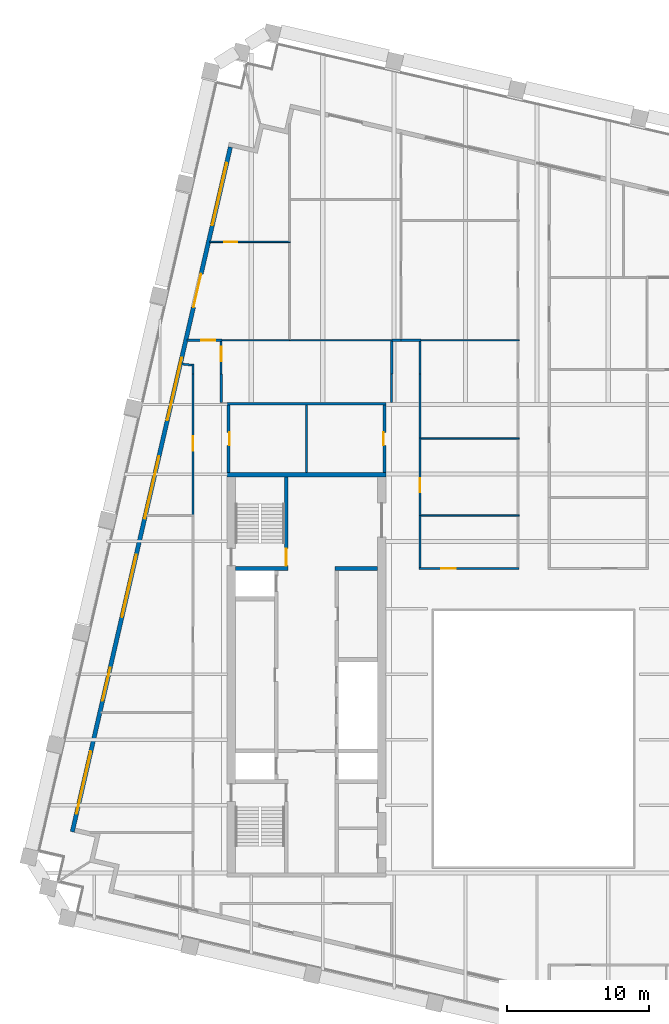
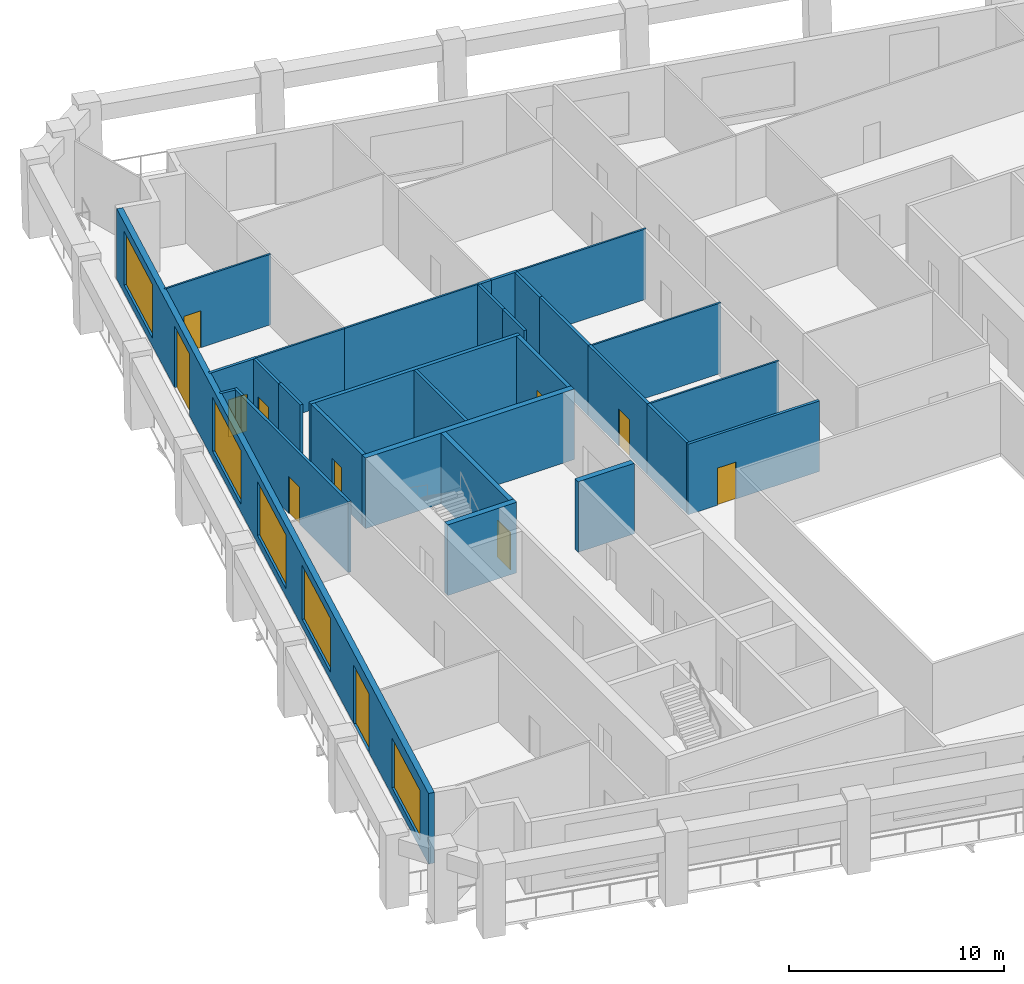
# One storey, part 7 of 11: 30 walls, 11 doors, 5 windows, 16 openings.
"""IFC4 building model written with IfcOpenShell, lengths in metres."""

from ifc_helpers import new_model, si_unit, direction, frame, frame_2d, origin, place, context, subcontext, project, spatial, rectangle, extrude, material, layer, layer_set, type_object, element, fill, save


model = new_model("IFC4")

# Units and contexts
model_context = context("Model", 3, precision=1e-05, world=origin(), true_north=direction((0.0, 1.0)))
body_context = subcontext(model_context, "Body", "Model", "MODEL_VIEW")
ifc_project = project(units=[si_unit("LENGTHUNIT", "METRE"), si_unit("AREAUNIT", "SQUARE_METRE"), si_unit("VOLUMEUNIT", "CUBIC_METRE"), si_unit("PLANEANGLEUNIT", "RADIAN"), si_unit("MASSUNIT", "GRAM", prefix="KILO")], contexts=[model_context])

# Site, building, storey
site_placement = place(None, origin())
site = spatial("IfcSite", under=ifc_project, at=site_placement, CompositionType="ELEMENT")
building_placement = place(site_placement, origin())
building = spatial("IfcBuilding", under=site, at=building_placement, Name="Ogive Exchange Tower", CompositionType="ELEMENT")
storey_placement = place(building_placement, frame((0.0, 0.0, 259.800048828125)))
storey = spatial("IfcBuildingStorey", under=building, at=storey_placement, Name="L56", CompositionType="ELEMENT", Elevation=259.800048828125)

# Walls
ifc_material_1 = material(Name="Gypsum board partition")
ifc_layer_1 = layer(ifc_material_1, 0.14990234375)
ifc_layer_set_1 = layer_set([ifc_layer_1], Name="Core room partition 150 gypsum")
wall_type_1 = type_object("IfcWallType", Name="Core room partition 150 gypsum", PredefinedType="PARTITIONING", material=ifc_layer_set_1)
wall_1_placement = place(storey_placement, frame((-16.0, 25.75, 0.0), z_axis=(0.0, 0.0, 1.0), x_axis=(0.0, 1.0, 0.0)))
element("IfcWall", 1, at=wall_1_placement, inside=storey, type_object=wall_type_1, Name="W annex N column wall", PredefinedType="PARTITIONING", context=body_context, shape_type="SweptSolid", body=[
    extrude(rectangle(XDim=4.75, YDim=0.14990234375, at=frame_2d((2.375, 0.0))), origin(), (0.0, 0.0, 1.0), 4.0),
])
ifc_layer_2 = layer(ifc_material_1, 0.300048828125)
ifc_layer_set_2 = layer_set([ifc_layer_2], Name="Core room partition 300 gypsum")
wall_type_2 = type_object("IfcWallType", Name="Core room partition 300 gypsum", PredefinedType="PARTITIONING", material=ifc_layer_set_2)
wall_2_placement = place(storey_placement, frame((-14.0, 19.0, 0.0), z_axis=(0.0, 0.0, 1.0), x_axis=(1.0, 0.0, 0.0)))
element("IfcWall", 2, at=wall_2_placement, inside=storey, type_object=wall_type_2, Name="W row B room end wall 7", PredefinedType="PARTITIONING", context=body_context, shape_type="SweptSolid", body=[
    extrude(rectangle(XDim=3.0, YDim=0.300048828125, at=frame_2d((1.5, 0.0))), origin(), (0.0, 0.0, 1.0), 4.0),
])

# Wall, opening, door
ifc_material_2 = material(Name="Fire partition EI 60 150")
ifc_layer_3 = layer(ifc_material_2, 0.14990234375)
ifc_layer_set_3 = layer_set([ifc_layer_3], Name="Fire partition EI 60 150")
wall_type_3 = type_object("IfcWallType", Name="Fire partition EI 60 150", PredefinedType="PARTITIONING", material=ifc_layer_set_3)
wall_3_placement = place(storey_placement, frame((-24.428955078125, 35.070068359375, 0.0), z_axis=(0.0, 0.0, 1.0), x_axis=(1.0, 0.0, 0.0)))
wall_3 = element("IfcWall", 3, at=wall_3_placement, inside=storey, type_object=wall_type_3, Name="L56-PWL-002", PredefinedType="PARTITIONING", context=body_context, shape_type="SweptSolid", body=[
    extrude(rectangle(XDim=2.493896484375, YDim=0.14990234375, at=frame_2d((1.2470703125, 0.0))), origin(), (0.0, 0.0, 1.0), 4.0),
])
opening_1_placement = place(wall_3_placement, frame((1.01904296875, 0.0, 0.0)))
opening_1 = element("IfcOpeningElement", 4, at=opening_1_placement, cuts=wall_3, Name="Opening L56-I11", PredefinedType="OPENING", context=body_context, shape_type="SweptSolid", body=[
    extrude(rectangle(XDim=1.0, YDim=2.10009765625, at=frame_2d((0.5, 1.050048828125))), frame((0.0, 0.0849609375, 0.0), z_axis=(0.0, -1.0, 0.0), x_axis=(1.0, 0.0, 0.0)), (0.0, 0.0, 1.0), 0.169921875),
])
ifc_material_3 = material(Name="Fire door FD 30S 1000 x 2100")
door_type_1 = type_object("IfcDoorType", Name="Fire door FD 30S 1000 x 2100", OperationType="NOTDEFINED", PredefinedType="DOOR", material=ifc_material_3)
door_1_placement = place(opening_1_placement, origin())
door_1 = element("IfcDoor", 5, at=door_1_placement, inside=storey, type_object=door_type_1, Name="L56-IDR-011", ObjectType="DT3", OperationType="SINGLE_SWING_RIGHT", OverallHeight=2.10009765625, OverallWidth=1.0, PredefinedType="DOOR", context=body_context, shape_type="SweptSolid", body=[
    extrude(rectangle(XDim=1.0, YDim=2.10009765625, at=frame_2d((0.5, 1.050048828125))), frame((0.0, 0.02490234375, 0.0), z_axis=(0.0, -1.0, 0.0), x_axis=(1.0, 0.0, 0.0)), (0.0, 0.0, 1.0), 0.050048828125),
])
fill(opening_1, door_1)

wall_4_placement = place(storey_placement, frame((-24.0, 22.77001953125, 0.0), z_axis=(0.0, 0.0, 1.0), x_axis=(0.0, 1.0, 0.0)))
wall_4 = element("IfcWall", 6, at=wall_4_placement, inside=storey, type_object=wall_type_3, Name="L56-PWL-008", PredefinedType="PARTITIONING", context=body_context, shape_type="SweptSolid", body=[
    extrude(rectangle(XDim=9.929931640625, YDim=0.14990234375, at=frame_2d((4.96484375, 0.0))), origin(), (0.0, 0.0, 1.0), 4.0),
])
opening_2_placement = place(wall_4_placement, frame((4.530029296875, 0.0, 0.0)))
opening_2 = element("IfcOpeningElement", 7, at=opening_2_placement, cuts=wall_4, Name="Opening L56-I03", PredefinedType="OPENING", context=body_context, shape_type="SweptSolid", body=[
    extrude(rectangle(XDim=1.0, YDim=2.10009765625, at=frame_2d((0.5, 1.050048828125))), frame((0.0, 0.0849609375, 0.0), z_axis=(0.0, -1.0, 0.0), x_axis=(1.0, 0.0, 0.0)), (0.0, 0.0, 1.0), 0.169921875),
])
door_2_placement = place(opening_2_placement, origin())
door_2 = element("IfcDoor", 8, at=door_2_placement, inside=storey, type_object=door_type_1, Name="L56-IDR-003", ObjectType="DT3", OperationType="SINGLE_SWING_RIGHT", OverallHeight=2.10009765625, OverallWidth=1.0, PredefinedType="DOOR", context=body_context, shape_type="SweptSolid", body=[
    extrude(rectangle(XDim=1.0, YDim=2.10009765625, at=frame_2d((0.5, 1.050048828125))), frame((0.0, 0.02490234375, 0.0), z_axis=(0.0, -1.0, 0.0), x_axis=(1.0, 0.0, 0.0)), (0.0, 0.0, 1.0), 0.050048828125),
])
fill(opening_2, door_2)

# Walls
wall_5_placement = place(storey_placement, frame((-23.989990234375, 32.699951171875, 0.0), z_axis=(0.0, 0.0, 1.0), x_axis=(0.0, 1.0, 0.0)))
element("IfcWall", 9, at=wall_5_placement, inside=storey, type_object=wall_type_3, Name="L56-PWL-010", PredefinedType="PARTITIONING", context=body_context, shape_type="SweptSolid", body=[
    extrude(rectangle(XDim=0.68505859375, YDim=0.14990234375, at=frame_2d((0.342529296875, 0.0))), origin(), (0.0, 0.0, 1.0), 4.0),
])
wall_6_placement = place(storey_placement, frame((-24.06494140625, 33.319091796875, 0.0), z_axis=(0.0, 0.0, 1.0), x_axis=(-0.993611867789, 0.112851478456, 0.0)))
element("IfcWall", 10, at=wall_6_placement, inside=storey, type_object=wall_type_3, Name="L56-PWL-011", PredefinedType="PARTITIONING", context=body_context, shape_type="SweptSolid", body=[
    extrude(rectangle(XDim=0.7529296875, YDim=0.14990234375, at=frame_2d((0.37646484375, 0.0))), origin(), (0.0, 0.0, 1.0), 4.0),
])

# Wall, opening, door
wall_7_placement = place(storey_placement, frame((-22.010009765625, 34.9951171875, 0.0), z_axis=(0.0, 0.0, 1.0), x_axis=(0.0, -1.0, 0.0)))
wall_7 = element("IfcWall", 11, at=wall_7_placement, inside=storey, type_object=wall_type_3, Name="L56-PWL-014", PredefinedType="PARTITIONING", context=body_context, shape_type="SweptSolid", body=[
    extrude(rectangle(XDim=2.295166015625, YDim=0.14990234375, at=frame_2d((1.1474609375, 0.0))), origin(), (0.0, 0.0, 1.0), 4.0),
])
opening_3_placement = place(wall_7_placement, frame((0.39501953125, 0.0, 0.0)))
opening_3 = element("IfcOpeningElement", 12, at=opening_3_placement, cuts=wall_7, Name="Opening L56-I04", PredefinedType="OPENING", context=body_context, shape_type="SweptSolid", body=[
    extrude(rectangle(XDim=1.0, YDim=2.10009765625, at=frame_2d((0.5, 1.050048828125))), frame((0.0, 0.0849609375, 0.0), z_axis=(0.0, -1.0, 0.0), x_axis=(1.0, 0.0, 0.0)), (0.0, 0.0, 1.0), 0.169921875),
])
door_3_placement = place(opening_3_placement, origin())
door_3 = element("IfcDoor", 13, at=door_3_placement, inside=storey, type_object=door_type_1, Name="L56-IDR-004", ObjectType="DT3", OperationType="SINGLE_SWING_RIGHT", OverallHeight=2.10009765625, OverallWidth=1.0, PredefinedType="DOOR", context=body_context, shape_type="SweptSolid", body=[
    extrude(rectangle(XDim=1.0, YDim=2.10009765625, at=frame_2d((0.5, 1.050048828125))), frame((0.0, 0.02490234375, 0.0), z_axis=(0.0, -1.0, 0.0), x_axis=(1.0, 0.0, 0.0)), (0.0, 0.0, 1.0), 0.050048828125),
])
fill(opening_3, door_3)

# Walls
wall_8_placement = place(storey_placement, frame((-22.0, 32.699951171875, 0.0), z_axis=(0.0, 0.0, 1.0), x_axis=(0.0, -1.0, 0.0)))
element("IfcWall", 14, at=wall_8_placement, inside=storey, type_object=wall_type_3, Name="L56-PWL-016", PredefinedType="PARTITIONING", context=body_context, shape_type="SweptSolid", body=[
    extrude(rectangle(XDim=2.010009765625, YDim=0.14990234375, at=frame_2d((1.0048828125, 0.0))), origin(), (0.0, 0.0, 1.0), 4.0),
])
wall_9_placement = place(storey_placement, frame((-10.0, 30.699951171875, 0.0), z_axis=(0.0, 0.0, 1.0), x_axis=(0.0, 1.0, 0.0)))
element("IfcWall", 15, at=wall_9_placement, inside=storey, type_object=wall_type_3, Name="L56-PWL-024", PredefinedType="PARTITIONING", context=body_context, shape_type="SweptSolid", body=[
    extrude(rectangle(XDim=2.0, YDim=0.14990234375, at=frame_2d((1.0, 0.0))), origin(), (0.0, 0.0, 1.0), 4.0),
])
wall_10_placement = place(storey_placement, frame((-9.989990234375, 32.699951171875, 0.0), z_axis=(0.0, 0.0, 1.0), x_axis=(0.0, 1.0, 0.0)))
element("IfcWall", 16, at=wall_10_placement, inside=storey, type_object=wall_type_3, Name="L56-PWL-025", PredefinedType="PARTITIONING", context=body_context, shape_type="SweptSolid", body=[
    extrude(rectangle(XDim=2.320068359375, YDim=0.14990234375, at=frame_2d((1.16015625, 0.0))), origin(), (0.0, 0.0, 1.0), 4.0),
])
wall_11_placement = place(storey_placement, frame((-9.989990234375, 35.070068359375, 0.0), z_axis=(0.0, 0.0, 1.0), x_axis=(1.0, 0.0, 0.0)))
element("IfcWall", 17, at=wall_11_placement, inside=storey, type_object=wall_type_3, Name="L56-PWL-026", PredefinedType="PARTITIONING", context=body_context, shape_type="SweptSolid", body=[
    extrude(rectangle(XDim=0.64990234375, YDim=0.14990234375, at=frame_2d((0.324951171875, 0.0))), origin(), (0.0, 0.0, 1.0), 4.0),
])
wall_12_placement = place(storey_placement, frame((-9.340087890625, 35.070068359375, 0.0), z_axis=(0.0, 0.0, 1.0), x_axis=(1.0, 0.0, 0.0)))
element("IfcWall", 18, at=wall_12_placement, inside=storey, type_object=wall_type_3, Name="L56-PWL-028", PredefinedType="PARTITIONING", context=body_context, shape_type="SweptSolid", body=[
    extrude(rectangle(XDim=1.405029296875, YDim=0.14990234375, at=frame_2d((0.70263671875, 0.0))), origin(), (0.0, 0.0, 1.0), 4.0),
])
wall_13_placement = place(storey_placement, frame((-8.010009765625, 34.9951171875, 0.0), z_axis=(0.0, 0.0, 1.0), x_axis=(0.0, -1.0, 0.0)))
element("IfcWall", 19, at=wall_13_placement, inside=storey, type_object=wall_type_3, Name="L56-PWL-032", PredefinedType="PARTITIONING", context=body_context, shape_type="SweptSolid", body=[
    extrude(rectangle(XDim=2.295166015625, YDim=0.14990234375, at=frame_2d((1.1474609375, 0.0))), origin(), (0.0, 0.0, 1.0), 4.0),
])

# Wall, opening, door
wall_14_placement = place(storey_placement, frame((-8.074951171875, 19.0, 0.0), z_axis=(0.0, 0.0, 1.0), x_axis=(1.0, 0.0, 0.0)))
wall_14 = element("IfcWall", 20, at=wall_14_placement, inside=storey, type_object=wall_type_3, Name="L56-PWL-034", PredefinedType="PARTITIONING", context=body_context, shape_type="SweptSolid", body=[
    extrude(rectangle(XDim=7.050048828125, YDim=0.14990234375, at=frame_2d((3.52490234375, 0.0))), origin(), (0.0, 0.0, 1.0), 4.0),
])
opening_4_placement = place(wall_14_placement, frame((1.574951171875, 0.0, 0.0)))
opening_4 = element("IfcOpeningElement", 21, at=opening_4_placement, cuts=wall_14, Name="Opening L56-I02", PredefinedType="OPENING", context=body_context, shape_type="SweptSolid", body=[
    extrude(rectangle(XDim=1.0, YDim=2.10009765625, at=frame_2d((0.5, 1.050048828125))), frame((0.0, 0.0849609375, 0.0), z_axis=(0.0, -1.0, 0.0), x_axis=(1.0, 0.0, 0.0)), (0.0, 0.0, 1.0), 0.169921875),
])
door_4_placement = place(opening_4_placement, origin())
door_4 = element("IfcDoor", 22, at=door_4_placement, inside=storey, type_object=door_type_1, Name="L56-IDR-002", ObjectType="DT3", OperationType="SINGLE_SWING_RIGHT", OverallHeight=2.10009765625, OverallWidth=1.0, PredefinedType="DOOR", context=body_context, shape_type="SweptSolid", body=[
    extrude(rectangle(XDim=1.0, YDim=2.10009765625, at=frame_2d((0.5, 1.050048828125))), frame((0.0, 0.02490234375, 0.0), z_axis=(0.0, -1.0, 0.0), x_axis=(1.0, 0.0, 0.0)), (0.0, 0.0, 1.0), 0.050048828125),
])
fill(opening_4, door_4)

# Wall
wall_15_placement = place(storey_placement, frame((-8.0, 22.719970703125, 0.0), z_axis=(0.0, 0.0, 1.0), x_axis=(0.0, -1.0, 0.0)))
element("IfcWall", 23, at=wall_15_placement, inside=storey, type_object=wall_type_3, Name="L56-PWL-035", PredefinedType="PARTITIONING", context=body_context, shape_type="SweptSolid", body=[
    extrude(rectangle(XDim=3.64501953125, YDim=0.14990234375, at=frame_2d((1.822509765625, 0.0))), origin(), (0.0, 0.0, 1.0), 4.0),
])

# Wall, opening, door
wall_16_placement = place(storey_placement, frame((-8.0, 28.18994140625, 0.0), z_axis=(0.0, 0.0, 1.0), x_axis=(0.0, -1.0, 0.0)))
wall_16 = element("IfcWall", 24, at=wall_16_placement, inside=storey, type_object=wall_type_3, Name="L56-PWL-037", PredefinedType="PARTITIONING", context=body_context, shape_type="SweptSolid", body=[
    extrude(rectangle(XDim=5.469970703125, YDim=0.14990234375, at=frame_2d((2.73486328125, 0.0))), origin(), (0.0, 0.0, 1.0), 4.0),
])
opening_5_placement = place(wall_16_placement, frame((2.820068359375, 0.0, 0.0)))
opening_5 = element("IfcOpeningElement", 25, at=opening_5_placement, cuts=wall_16, Name="Opening L56-I05", PredefinedType="OPENING", context=body_context, shape_type="SweptSolid", body=[
    extrude(rectangle(XDim=1.0, YDim=2.10009765625, at=frame_2d((0.5, 1.050048828125))), frame((0.0, 0.0849609375, 0.0), z_axis=(0.0, -1.0, 0.0), x_axis=(1.0, 0.0, 0.0)), (0.0, 0.0, 1.0), 0.169921875),
])
door_5_placement = place(opening_5_placement, origin())
door_5 = element("IfcDoor", 26, at=door_5_placement, inside=storey, type_object=door_type_1, Name="L56-IDR-005", ObjectType="DT3", OperationType="SINGLE_SWING_LEFT", OverallHeight=2.10009765625, OverallWidth=1.0, PredefinedType="DOOR", context=body_context, shape_type="SweptSolid", body=[
    extrude(rectangle(XDim=1.0, YDim=2.10009765625, at=frame_2d((0.5, 1.050048828125))), frame((0.0, 0.02490234375, 0.0), z_axis=(0.0, -1.0, 0.0), x_axis=(1.0, 0.0, 0.0)), (0.0, 0.0, 1.0), 0.050048828125),
])
fill(opening_5, door_5)

# Wall
wall_17_placement = place(storey_placement, frame((-8.0, 32.699951171875, 0.0), z_axis=(0.0, 0.0, 1.0), x_axis=(0.0, -1.0, 0.0)))
element("IfcWall", 27, at=wall_17_placement, inside=storey, type_object=wall_type_3, Name="L56-PWL-039", PredefinedType="PARTITIONING", context=body_context, shape_type="SweptSolid", body=[
    extrude(rectangle(XDim=4.510009765625, YDim=0.14990234375, at=frame_2d((2.2548828125, 0.0))), origin(), (0.0, 0.0, 1.0), 4.0),
])

# Wall, openings, doors, windows
ifc_material_4 = material(Name="Precast concrete C40/50", Category="concrete")
ifc_layer_4 = layer(ifc_material_4, 0.300048828125)
ifc_layer_set_4 = layer_set([ifc_layer_4], Name="Limestone-faced wall 300")
wall_type_4 = type_object("IfcWallType", Name="Limestone-faced wall 300", PredefinedType="STANDARD", material=ifc_layer_set_4)
wall_18_placement = place(storey_placement, frame((-21.35888671875, 48.67822265625, 0.0), z_axis=(0.0, 0.0, 1.0), x_axis=(-0.224949198343, -0.974370493275, 0.0)))
wall_18 = element("IfcWall", 28, at=wall_18_placement, inside=storey, type_object=wall_type_4, Name="External wall W4", PredefinedType="STANDARD", context=body_context, shape_type="SweptSolid", body=[
    extrude(rectangle(XDim=49.5, YDim=0.300048828125, at=frame_2d((24.75, 0.0))), origin(), (0.0, 0.0, 1.0), 4.0),
])
opening_6_placement = place(wall_18_placement, frame((1.156982421875, 0.0, 0.449951171875)))
opening_6 = element("IfcOpeningElement", 29, at=opening_6_placement, cuts=wall_18, Name="Opening W1", PredefinedType="OPENING", context=body_context, shape_type="SweptSolid", body=[
    extrude(rectangle(XDim=4.5, YDim=3.050048828125, at=frame_2d((2.25, 1.52490234375))), frame((0.0, 0.159912109375, 0.0), z_axis=(0.0, -1.0, 0.0), x_axis=(1.0, 0.0, 0.0)), (0.0, 0.0, 1.0), 0.320068359375),
])
opening_7_placement = place(wall_18_placement, frame((9.17138671875, 0.0, 0.0)))
opening_7 = element("IfcOpeningElement", 30, at=opening_7_placement, cuts=wall_18, Name="Opening D1", PredefinedType="OPENING", context=body_context, shape_type="SweptSolid", body=[
    extrude(rectangle(XDim=2.39990234375, YDim=3.5, at=frame_2d((1.199951171875, 1.75))), frame((0.0, 0.159912109375, 0.0), z_axis=(0.0, -1.0, 0.0), x_axis=(1.0, 0.0, 0.0)), (0.0, 0.0, 1.0), 0.320068359375),
])
opening_8_placement = place(wall_18_placement, frame((15.235595703125, 0.0, 0.449951171875)))
opening_8 = element("IfcOpeningElement", 31, at=opening_8_placement, cuts=wall_18, Name="Opening W1", PredefinedType="OPENING", context=body_context, shape_type="SweptSolid", body=[
    extrude(rectangle(XDim=4.5, YDim=3.050048828125, at=frame_2d((2.25, 1.52490234375))), frame((0.0, 0.159912109375, 0.0), z_axis=(0.0, -1.0, 0.0), x_axis=(1.0, 0.0, 0.0)), (0.0, 0.0, 1.0), 0.320068359375),
])
opening_9_placement = place(wall_18_placement, frame((22.35009765625, 0.0, 0.449951171875)))
opening_9 = element("IfcOpeningElement", 32, at=opening_9_placement, cuts=wall_18, Name="Opening W1", PredefinedType="OPENING", context=body_context, shape_type="SweptSolid", body=[
    extrude(rectangle(XDim=4.5, YDim=3.050048828125, at=frame_2d((2.25, 1.52490234375))), frame((0.0, 0.159912109375, 0.0), z_axis=(0.0, -1.0, 0.0), x_axis=(1.0, 0.0, 0.0)), (0.0, 0.0, 1.0), 0.320068359375),
])
opening_10_placement = place(wall_18_placement, frame((29.464111328125, 0.0, 0.449951171875)))
opening_10 = element("IfcOpeningElement", 33, at=opening_10_placement, cuts=wall_18, Name="Opening W1", PredefinedType="OPENING", context=body_context, shape_type="SweptSolid", body=[
    extrude(rectangle(XDim=4.5, YDim=3.050048828125, at=frame_2d((2.25, 1.52490234375))), frame((0.0, 0.159912109375, 0.0), z_axis=(0.0, -1.0, 0.0), x_axis=(1.0, 0.0, 0.0)), (0.0, 0.0, 1.0), 0.320068359375),
])
opening_11_placement = place(wall_18_placement, frame((37.62841796875, 0.0, 0.0)))
opening_11 = element("IfcOpeningElement", 34, at=opening_11_placement, cuts=wall_18, Name="Opening D1C", PredefinedType="OPENING", context=body_context, shape_type="SweptSolid", body=[
    extrude(rectangle(XDim=2.39990234375, YDim=3.324951171875, at=frame_2d((1.199951171875, 1.66259765625))), frame((0.0, 0.159912109375, 0.0), z_axis=(0.0, -1.0, 0.0), x_axis=(1.0, 0.0, 0.0)), (0.0, 0.0, 1.0), 0.320068359375),
])
opening_12_placement = place(wall_18_placement, frame((43.69287109375, 0.0, 0.449951171875)))
opening_12 = element("IfcOpeningElement", 35, at=opening_12_placement, cuts=wall_18, Name="Opening W1E", PredefinedType="OPENING", context=body_context, shape_type="SweptSolid", body=[
    extrude(rectangle(XDim=4.5, YDim=2.824951171875, at=frame_2d((2.25, 1.41259765625))), frame((0.0, 0.159912109375, 0.0), z_axis=(0.0, -1.0, 0.0), x_axis=(1.0, 0.0, 0.0)), (0.0, 0.0, 1.0), 0.320068359375),
])
ifc_material_5 = material(Name="Clear glass in bronze frame", Category="glass")
door_type_2 = type_object("IfcDoorType", Name="Sliding loggia door 2400 x 3325", OperationType="DOUBLE_DOOR_SLIDING", PredefinedType="DOOR", material=ifc_material_5)
door_6_placement = place(opening_11_placement, origin())
door_6 = element("IfcDoor", 36, at=door_6_placement, inside=storey, type_object=door_type_2, Name="Loggia door W05", OperationType="DOUBLE_DOOR_SLIDING", OverallHeight=3.324951171875, OverallWidth=2.39990234375, PredefinedType="DOOR", context=body_context, shape_type="SweptSolid", body=[
    extrude(rectangle(XDim=2.39990234375, YDim=3.324951171875, at=frame_2d((1.199951171875, 1.66259765625))), frame((0.0, 0.02490234375, 0.0), z_axis=(0.0, -1.0, 0.0), x_axis=(1.0, 0.0, 0.0)), (0.0, 0.0, 1.0), 0.050048828125),
])
fill(opening_11, door_6)
door_type_3 = type_object("IfcDoorType", Name="Sliding loggia door 2400 x 3500", OperationType="DOUBLE_DOOR_SLIDING", PredefinedType="DOOR", material=ifc_material_5)
door_7_placement = place(opening_7_placement, origin())
door_7 = element("IfcDoor", 37, at=door_7_placement, inside=storey, type_object=door_type_3, Name="Loggia door W01", OperationType="DOUBLE_DOOR_SLIDING", OverallHeight=3.5, OverallWidth=2.39990234375, PredefinedType="DOOR", context=body_context, shape_type="SweptSolid", body=[
    extrude(rectangle(XDim=2.39990234375, YDim=3.5, at=frame_2d((1.199951171875, 1.75))), frame((0.0, 0.02490234375, 0.0), z_axis=(0.0, -1.0, 0.0), x_axis=(1.0, 0.0, 0.0)), (0.0, 0.0, 1.0), 0.050048828125),
])
fill(opening_7, door_7)
window_type_1 = type_object("IfcWindowType", Name="Twin lancet window 4500 x 2825", PartitioningType="DOUBLE_PANEL_VERTICAL", PredefinedType="WINDOW", material=ifc_material_5)
window_1_placement = place(opening_12_placement, origin())
window_1 = element("IfcWindow", 38, at=window_1_placement, inside=storey, type_object=window_type_1, Name="Window W06", OverallHeight=2.824951171875, OverallWidth=4.5, PartitioningType="DOUBLE_PANEL_VERTICAL", PredefinedType="WINDOW", context=body_context, shape_type="SweptSolid", body=[
    extrude(rectangle(XDim=4.5, YDim=2.824951171875, at=frame_2d((2.25, 1.41259765625))), frame((0.0, 0.030029296875, 0.0), z_axis=(0.0, -1.0, 0.0), x_axis=(1.0, 0.0, 0.0)), (0.0, 0.0, 1.0), 0.06005859375),
])
fill(opening_12, window_1)
window_type_2 = type_object("IfcWindowType", Name="Twin lancet window 4500 x 3050", PartitioningType="DOUBLE_PANEL_VERTICAL", PredefinedType="WINDOW", material=ifc_material_5)
window_2_placement = place(opening_6_placement, origin())
window_2 = element("IfcWindow", 39, at=window_2_placement, inside=storey, type_object=window_type_2, Name="Window W00", OverallHeight=3.050048828125, OverallWidth=4.5, PartitioningType="DOUBLE_PANEL_VERTICAL", PredefinedType="WINDOW", context=body_context, shape_type="SweptSolid", body=[
    extrude(rectangle(XDim=4.5, YDim=3.050048828125, at=frame_2d((2.25, 1.52490234375))), frame((0.0, 0.030029296875, 0.0), z_axis=(0.0, -1.0, 0.0), x_axis=(1.0, 0.0, 0.0)), (0.0, 0.0, 1.0), 0.06005859375),
])
fill(opening_6, window_2)
window_3_placement = place(opening_8_placement, origin())
window_3 = element("IfcWindow", 40, at=window_3_placement, inside=storey, type_object=window_type_2, Name="Window W02", OverallHeight=3.050048828125, OverallWidth=4.5, PartitioningType="DOUBLE_PANEL_VERTICAL", PredefinedType="WINDOW", context=body_context, shape_type="SweptSolid", body=[
    extrude(rectangle(XDim=4.5, YDim=3.050048828125, at=frame_2d((2.25, 1.52490234375))), frame((0.0, 0.030029296875, 0.0), z_axis=(0.0, -1.0, 0.0), x_axis=(1.0, 0.0, 0.0)), (0.0, 0.0, 1.0), 0.06005859375),
])
fill(opening_8, window_3)
window_4_placement = place(opening_9_placement, origin())
window_4 = element("IfcWindow", 41, at=window_4_placement, inside=storey, type_object=window_type_2, Name="Window W03", OverallHeight=3.050048828125, OverallWidth=4.5, PartitioningType="DOUBLE_PANEL_VERTICAL", PredefinedType="WINDOW", context=body_context, shape_type="SweptSolid", body=[
    extrude(rectangle(XDim=4.5, YDim=3.050048828125, at=frame_2d((2.25, 1.52490234375))), frame((0.0, 0.030029296875, 0.0), z_axis=(0.0, -1.0, 0.0), x_axis=(1.0, 0.0, 0.0)), (0.0, 0.0, 1.0), 0.06005859375),
])
fill(opening_9, window_4)
window_5_placement = place(opening_10_placement, origin())
window_5 = element("IfcWindow", 42, at=window_5_placement, inside=storey, type_object=window_type_2, Name="Window W04", OverallHeight=3.050048828125, OverallWidth=4.5, PartitioningType="DOUBLE_PANEL_VERTICAL", PredefinedType="WINDOW", context=body_context, shape_type="SweptSolid", body=[
    extrude(rectangle(XDim=4.5, YDim=3.050048828125, at=frame_2d((2.25, 1.52490234375))), frame((0.0, 0.030029296875, 0.0), z_axis=(0.0, -1.0, 0.0), x_axis=(1.0, 0.0, 0.0)), (0.0, 0.0, 1.0), 0.06005859375),
])
fill(opening_10, window_5)

# Wall, opening, door
ifc_material_6 = material(Name="Partition 100 gypsum")
ifc_layer_5 = layer(ifc_material_6, 0.10009765625)
ifc_layer_set_5 = layer_set([ifc_layer_5], Name="Partition 100 gypsum")
wall_type_5 = type_object("IfcWallType", Name="Partition 100 gypsum", PredefinedType="PARTITIONING", material=ifc_layer_set_5)
wall_19_placement = place(storey_placement, frame((-22.8291015625, 42.0, 0.0), z_axis=(0.0, 0.0, 1.0), x_axis=(1.0, 0.0, 0.0)))
wall_19 = element("IfcWall", 43, at=wall_19_placement, inside=storey, type_object=wall_type_5, Name="L56-PWL-012", PredefinedType="PARTITIONING", context=body_context, shape_type="SweptSolid", body=[
    extrude(rectangle(XDim=5.689208984375, YDim=0.10009765625, at=frame_2d((2.8447265625, 0.0))), origin(), (0.0, 0.0, 1.0), 4.0),
])
opening_13_placement = place(wall_19_placement, frame((1.0390625, 0.0, 0.0)))
opening_13 = element("IfcOpeningElement", 44, at=opening_13_placement, cuts=wall_19, Name="Opening L56-I12", PredefinedType="OPENING", context=body_context, shape_type="SweptSolid", body=[
    extrude(rectangle(XDim=0.89990234375, YDim=2.10009765625, at=frame_2d((0.449951171875, 1.050048828125))), frame((0.0, 0.06005859375, 0.0), z_axis=(0.0, -1.0, 0.0), x_axis=(1.0, 0.0, 0.0)), (0.0, 0.0, 1.0), 0.1201171875),
])
ifc_material_7 = material(Name="Door 900 x 2100")
door_type_4 = type_object("IfcDoorType", Name="Door 900 x 2100", OperationType="NOTDEFINED", PredefinedType="DOOR", material=ifc_material_7)
door_8_placement = place(opening_13_placement, origin())
door_8 = element("IfcDoor", 45, at=door_8_placement, inside=storey, type_object=door_type_4, Name="L56-IDR-012", ObjectType="DT1", OperationType="SINGLE_SWING_RIGHT", OverallHeight=2.10009765625, OverallWidth=0.89990234375, PredefinedType="DOOR", context=body_context, shape_type="SweptSolid", body=[
    extrude(rectangle(XDim=0.89990234375, YDim=2.10009765625, at=frame_2d((0.449951171875, 1.050048828125))), frame((0.0, 0.02490234375, 0.0), z_axis=(0.0, -1.0, 0.0), x_axis=(1.0, 0.0, 0.0)), (0.0, 0.0, 1.0), 0.050048828125),
])
fill(opening_13, door_8)

# Walls
wall_20_placement = place(storey_placement, frame((-21.93505859375, 35.070068359375, 0.0), z_axis=(0.0, 0.0, 1.0), x_axis=(1.0, 0.0, 0.0)))
element("IfcWall", 46, at=wall_20_placement, inside=storey, type_object=wall_type_5, Name="L56-PWL-015", PredefinedType="PARTITIONING", context=body_context, shape_type="SweptSolid", body=[
    extrude(rectangle(XDim=4.7451171875, YDim=0.10009765625, at=frame_2d((2.37255859375, 0.0))), origin(), (0.0, 0.0, 1.0), 4.0),
])
wall_21_placement = place(storey_placement, frame((-17.18994140625, 35.070068359375, 0.0), z_axis=(0.0, 0.0, 1.0), x_axis=(1.0, 0.0, 0.0)))
element("IfcWall", 47, at=wall_21_placement, inside=storey, type_object=wall_type_5, Name="L56-PWL-018", PredefinedType="PARTITIONING", context=body_context, shape_type="SweptSolid", body=[
    extrude(rectangle(XDim=7.199951171875, YDim=0.10009765625, at=frame_2d((3.60009765625, 0.0))), origin(), (0.0, 0.0, 1.0), 4.0),
])
wall_22_placement = place(storey_placement, frame((-7.93505859375, 35.070068359375, 0.0), z_axis=(0.0, 0.0, 1.0), x_axis=(1.0, 0.0, 0.0)))
element("IfcWall", 48, at=wall_22_placement, inside=storey, type_object=wall_type_5, Name="L56-PWL-033", PredefinedType="PARTITIONING", context=body_context, shape_type="SweptSolid", body=[
    extrude(rectangle(XDim=6.91015625, YDim=0.10009765625, at=frame_2d((3.455078125, 0.0))), origin(), (0.0, 0.0, 1.0), 4.0),
])
for number, where, z_axis, x_axis, name in (
    (49, (-7.925048828125, 22.719970703125, 0.0), (0.0, 0.0, 1.0), (1.0, 0.0, 0.0), "L56-PWL-036"),
    (50, (-7.925048828125, 28.139892578125, 0.0), (0.0, 0.0, 1.0), (1.0, 0.0, 0.0), "L56-PWL-038"),
):
    element("IfcWall", number, at=place(storey_placement, frame(where, z_axis=z_axis, x_axis=x_axis)), inside=storey, type_object=wall_type_5, Name=name, PredefinedType="PARTITIONING", context=body_context, shape_type="SweptSolid", body=[
        extrude(rectangle(XDim=6.900146484375, YDim=0.10009765625, at=frame_2d((3.4501953125, 0.0))), origin(), (0.0, 0.0, 1.0), 4.0),
    ])

# Wall, opening, door
ifc_material_8 = material(Name="Concrete C70/85", Category="concrete")
ifc_layer_6 = layer(ifc_material_8, 0.199951171875)
ifc_layer_set_6 = layer_set([ifc_layer_6], Name="RC core wall 200 C70/85")
wall_type_6 = type_object("IfcWallType", Name="RC core wall 200 C70/85", PredefinedType="SHEAR", material=ifc_layer_set_6)
wall_23_placement = place(storey_placement, frame((-21.5, 25.75, 0.0), z_axis=(0.0, 0.0, 1.0), x_axis=(0.0, 1.0, 0.0)))
wall_23 = element("IfcWall", 51, at=wall_23_placement, inside=storey, type_object=wall_type_6, Name="W annex N outer wall", PredefinedType="SHEAR", context=body_context, shape_type="SweptSolid", body=[
    extrude(rectangle(XDim=4.75, YDim=0.199951171875, at=frame_2d((2.375, 0.0))), origin(), (0.0, 0.0, 1.0), 4.0),
])
opening_14_placement = place(wall_23_placement, frame((1.925048828125, 0.0, 0.0)))
opening_14 = element("IfcOpeningElement", 52, at=opening_14_placement, cuts=wall_23, Name="Opening L56-C17", PredefinedType="OPENING", context=body_context, shape_type="SweptSolid", body=[
    extrude(rectangle(XDim=0.89990234375, YDim=2.10009765625, at=frame_2d((0.449951171875, 1.050048828125))), frame((0.0, 0.10986328125, 0.0), z_axis=(0.0, -1.0, 0.0), x_axis=(1.0, 0.0, 0.0)), (0.0, 0.0, 1.0), 0.219970703125),
])
ifc_material_9 = material(Name="Steel fire door", Category="steel")
door_type_5 = type_object("IfcDoorType", Name="Riser door FD60 900 x 2100", OperationType="NOTDEFINED", PredefinedType="DOOR", material=ifc_material_9)
door_9_placement = place(opening_14_placement, origin())
door_9 = element("IfcDoor", 53, at=door_9_placement, inside=storey, type_object=door_type_5, Name="Riser door", ObjectType="CD2", OperationType="SINGLE_SWING_RIGHT", OverallHeight=2.10009765625, OverallWidth=0.89990234375, PredefinedType="DOOR", context=body_context, shape_type="SweptSolid", body=[
    extrude(rectangle(XDim=0.89990234375, YDim=2.10009765625, at=frame_2d((0.449951171875, 1.050048828125))), frame((0.0, -0.0498046875, 0.0), z_axis=(0.0, -1.0, 0.0), x_axis=(1.0, 0.0, 0.0)), (0.0, 0.0, 1.0), 0.050048828125),
])
fill(opening_14, door_9)

wall_24_placement = place(storey_placement, frame((-10.5, 25.75, 0.0), z_axis=(0.0, 0.0, 1.0), x_axis=(0.0, 1.0, 0.0)))
wall_24 = element("IfcWall", 54, at=wall_24_placement, inside=storey, type_object=wall_type_6, Name="W annex N inner wall", PredefinedType="SHEAR", context=body_context, shape_type="SweptSolid", body=[
    extrude(rectangle(XDim=4.75, YDim=0.199951171875, at=frame_2d((2.375, 0.0))), origin(), (0.0, 0.0, 1.0), 4.0),
])
opening_15_placement = place(wall_24_placement, frame((1.925048828125, 0.0, 0.0)))
opening_15 = element("IfcOpeningElement", 55, at=opening_15_placement, cuts=wall_24, Name="Opening L56-C18", PredefinedType="OPENING", context=body_context, shape_type="SweptSolid", body=[
    extrude(rectangle(XDim=0.89990234375, YDim=2.10009765625, at=frame_2d((0.449951171875, 1.050048828125))), frame((0.0, 0.10986328125, 0.0), z_axis=(0.0, -1.0, 0.0), x_axis=(1.0, 0.0, 0.0)), (0.0, 0.0, 1.0), 0.219970703125),
])
ifc_material_10 = material(Name="Timber fire door", Category="wood")
door_type_6 = type_object("IfcDoorType", Name="Core room door FD30S 900 x 2100", OperationType="NOTDEFINED", PredefinedType="DOOR", material=ifc_material_10)
door_10_placement = place(opening_15_placement, frame((0.89990234375, 0.14990234375, 0.0), z_axis=(0.0, 0.0, 1.0), x_axis=(-1.0, 0.0, 0.0)))
door_10 = element("IfcDoor", 56, at=door_10_placement, inside=storey, type_object=door_type_6, Name="Core room door", ObjectType="CD6", OperationType="SINGLE_SWING_RIGHT", OverallHeight=2.10009765625, OverallWidth=0.89990234375, PredefinedType="DOOR", context=body_context, shape_type="SweptSolid", body=[
    extrude(rectangle(XDim=0.89990234375, YDim=2.10009765625, at=frame_2d((0.449951171875, 1.050048828125))), frame((0.0, 0.10009765625, 0.0), z_axis=(0.0, -1.0, 0.0), x_axis=(1.0, 0.0, 0.0)), (0.0, 0.0, 1.0), 0.050048828125),
])
fill(opening_15, door_10)

# Wall
wall_25_placement = place(storey_placement, frame((-21.60009765625, 30.60009765625, 0.0), z_axis=(0.0, 0.0, 1.0), x_axis=(1.0, 0.0, 0.0)))
element("IfcWall", 57, at=wall_25_placement, inside=storey, type_object=wall_type_6, Name="W annex N end wall", PredefinedType="SHEAR", context=body_context, shape_type="SweptSolid", body=[
    extrude(rectangle(XDim=11.2001953125, YDim=0.199951171875, at=frame_2d((5.60009765625, 0.0))), origin(), (0.0, 0.0, 1.0), 4.0),
])

# Wall, opening, door
ifc_layer_7 = layer(ifc_material_8, 0.25)
ifc_layer_set_7 = layer_set([ifc_layer_7], Name="RC core wall 250 C70/85")
wall_type_7 = type_object("IfcWallType", Name="RC core wall 250 C70/85", PredefinedType="SHEAR", material=ifc_layer_set_7)
wall_26_placement = place(storey_placement, frame((-17.425048828125, 19.14990234375, 0.0), z_axis=(0.0, 0.0, 1.0), x_axis=(0.0, 1.0, 0.0)))
wall_26 = element("IfcWall", 58, at=wall_26_placement, inside=storey, type_object=wall_type_7, Name="W stair N front wall", PredefinedType="SHEAR", context=body_context, shape_type="SweptSolid", body=[
    extrude(rectangle(XDim=6.300048828125, YDim=0.25, at=frame_2d((3.14990234375, 0.0))), origin(), (0.0, 0.0, 1.0), 4.0),
])
opening_16_placement = place(wall_26_placement, frame((0.050048828125, 0.0, 0.0)))
opening_16 = element("IfcOpeningElement", 59, at=opening_16_placement, cuts=wall_26, Name="Opening L56-C13", PredefinedType="OPENING", context=body_context, shape_type="SweptSolid", body=[
    extrude(rectangle(XDim=1.199951171875, YDim=2.10009765625, at=frame_2d((0.60009765625, 1.050048828125))), frame((0.0, 0.135009765625, 0.0), z_axis=(0.0, -1.0, 0.0), x_axis=(1.0, 0.0, 0.0)), (0.0, 0.0, 1.0), 0.27001953125),
])
door_type_7 = type_object("IfcDoorType", Name="Stair door FD90 1200 x 2100", OperationType="NOTDEFINED", PredefinedType="DOOR", material=ifc_material_9)
door_11_placement = place(opening_16_placement, origin())
door_11 = element("IfcDoor", 60, at=door_11_placement, inside=storey, type_object=door_type_7, Name="Stair door", ObjectType="CD5", OperationType="SINGLE_SWING_RIGHT", OverallHeight=2.10009765625, OverallWidth=1.199951171875, PredefinedType="DOOR", context=body_context, shape_type="SweptSolid", body=[
    extrude(rectangle(XDim=1.199951171875, YDim=2.10009765625, at=frame_2d((0.60009765625, 1.050048828125))), frame((0.0, 0.02490234375, 0.0), z_axis=(0.0, -1.0, 0.0), x_axis=(1.0, 0.0, 0.0)), (0.0, 0.0, 1.0), 0.050048828125),
])
fill(opening_16, door_11)

# Walls
ifc_layer_8 = layer(ifc_material_8, 0.300048828125)
ifc_layer_set_8 = layer_set([ifc_layer_8], Name="RC core wall 300 C70/85")
wall_type_8 = type_object("IfcWallType", Name="RC core wall 300 C70/85", PredefinedType="SHEAR", material=ifc_layer_set_8)
wall_27_placement = place(storey_placement, frame((-21.60009765625, 25.60009765625, 0.0), z_axis=(0.0, 0.0, 1.0), x_axis=(1.0, 0.0, 0.0)))
element("IfcWall", 61, at=wall_27_placement, inside=storey, type_object=wall_type_8, Name="W north end wall", PredefinedType="SHEAR", context=body_context, shape_type="SweptSolid", body=[
    extrude(rectangle(XDim=11.2001953125, YDim=0.300048828125, at=frame_2d((5.60009765625, 0.0))), origin(), (0.0, 0.0, 1.0), 4.0),
])
wall_28_placement = place(storey_placement, frame((-21.0, 19.0, 0.0), z_axis=(0.0, 0.0, 1.0), x_axis=(1.0, 0.0, 0.0)))
element("IfcWall", 62, at=wall_28_placement, inside=storey, type_object=wall_type_8, Name="W stair N south wall", PredefinedType="SHEAR", context=body_context, shape_type="SweptSolid", body=[
    extrude(rectangle(XDim=3.699951171875, YDim=0.300048828125, at=frame_2d((1.85009765625, 0.0))), origin(), (0.0, 0.0, 1.0), 4.0),
])

save(model, "model.ifc")
